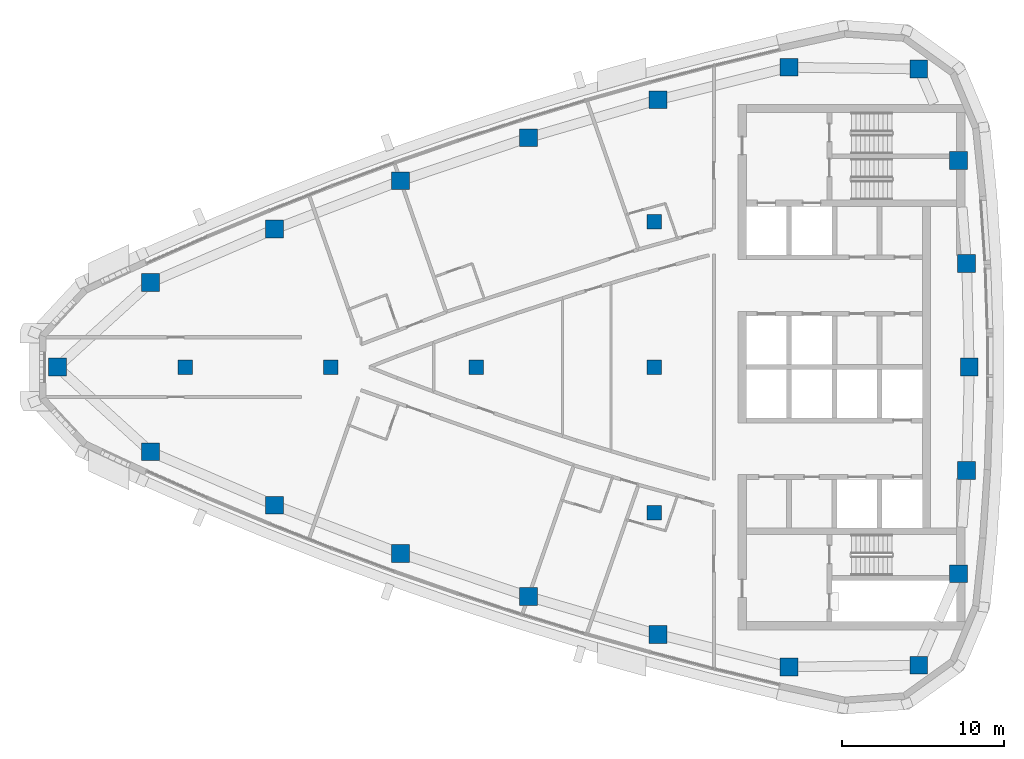
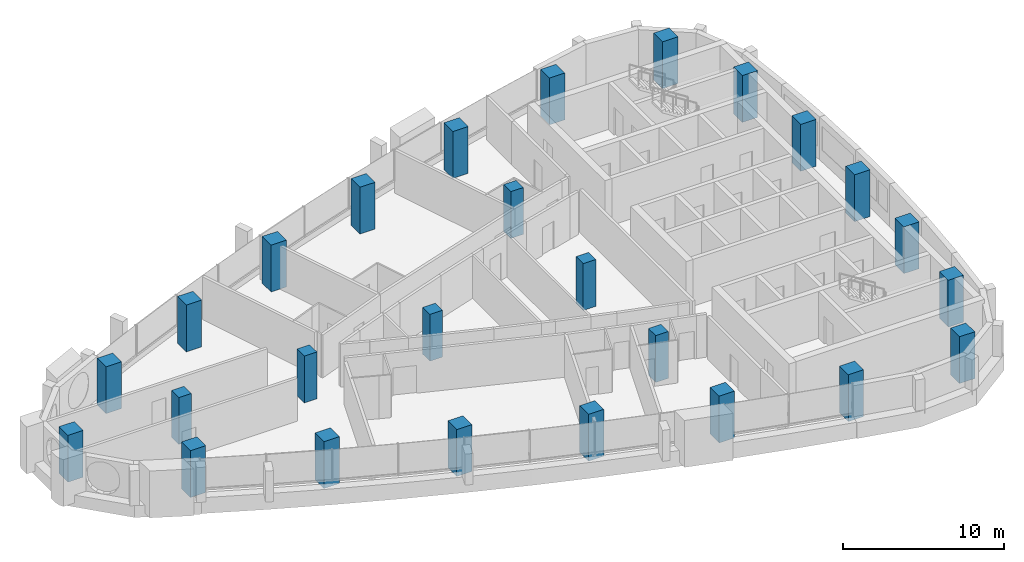
# One storey, part 1 of 14: 26 columns.
"""IFC4 building model written with IfcOpenShell, lengths in metres."""

from ifc_helpers import new_model, si_unit, direction, frame, origin, origin_2d, place, context, subcontext, project, spatial, rectangle, extrude, material, material_profile, profile_set, type_object, element, save


model = new_model("IFC4")

# Units and contexts
model_context = context("Model", 3, precision=1e-05, world=origin(), true_north=direction((0.0, 1.0)))
body_context = subcontext(model_context, "Body", "Model", "MODEL_VIEW")
ifc_project = project(units=[si_unit("LENGTHUNIT", "METRE"), si_unit("AREAUNIT", "SQUARE_METRE"), si_unit("VOLUMEUNIT", "CUBIC_METRE"), si_unit("PLANEANGLEUNIT", "RADIAN"), si_unit("MASSUNIT", "GRAM", prefix="KILO")], contexts=[model_context])

# Site, building, storey
site_placement = place(None, origin())
site = spatial("IfcSite", under=ifc_project, at=site_placement, CompositionType="ELEMENT")
building_placement = place(site_placement, origin())
building = spatial("IfcBuilding", under=site, at=building_placement, Name="Ostrand Prow Hotel Tower", CompositionType="ELEMENT")
storey_placement = place(building_placement, frame((0.0, 0.0, 271.449951171875)))
storey = spatial("IfcBuildingStorey", under=building, at=storey_placement, Name="L68", CompositionType="ELEMENT", Elevation=271.449951171875)

# Columns
ifc_material_1 = material(Name="Concrete C50/60", Category="concrete")
ifc_material_profile_1 = material_profile(ifc_material_1, rectangle(XDim=0.89990234375, YDim=0.89990234375, at=origin_2d()), Name="RC 900x900")
ifc_profile_set_1 = profile_set([ifc_material_profile_1], Name="Concrete C50/60")
column_type_1 = type_object("IfcColumnType", Name="Interior column 900x900 C50/60", PredefinedType="COLUMN", material=ifc_profile_set_1)
for number, where, z_axis, x_axis, name in (
    (1, (16.0, 0.0, 0.0), (0.0, 0.0, 1.0), (1.0, 0.0, 0.0), "Interior column 16C0"),
    (2, (25.0, 0.0, 0.0), (0.0, 0.0, 1.0), (1.0, 0.0, 0.0), "Interior column 25C0"),
    (3, (34.0, 0.0, 0.0), (0.0, 0.0, 1.0), (1.0, 0.0, 0.0), "Interior column 34C0"),
    (4, (45.0, -9.0, 0.0), (0.0, 0.0, 1.0), (1.0, 0.0, 0.0), "Interior column 45S9"),
    (5, (45.0, 0.0, 0.0), (0.0, 0.0, 1.0), (1.0, 0.0, 0.0), "Interior column 45C0"),
    (6, (45.0, 9.0, 0.0), (0.0, 0.0, 1.0), (1.0, 0.0, 0.0), "Interior column 45N9"),
):
    element("IfcColumn", number, at=place(storey_placement, frame(where, z_axis=z_axis, x_axis=x_axis)), inside=storey, type_object=column_type_1, Name=name, PredefinedType="COLUMN", context=body_context, shape_type="SweptSolid", body=[
        extrude(rectangle(XDim=0.89990234375, YDim=0.89990234375, at=origin_2d()), origin(), (0.0, 0.0, 1.0), 3.550048828125),
    ])
ifc_material_2 = material(Name="Concrete C50/60", Category="concrete")
ifc_material_profile_2 = material_profile(ifc_material_2, rectangle(XDim=1.10009765625, YDim=1.10009765625, at=origin_2d()), Name="RC 1100x1100")
ifc_profile_set_2 = profile_set([ifc_material_profile_2], Name="Concrete C50/60")
column_type_2 = type_object("IfcColumnType", Name="Stone-faced mega column 1100x1100 C50/60", PredefinedType="COLUMN", material=ifc_profile_set_2)
for number, where, z_axis, x_axis, name in (
    (7, (8.082763671875, 0.0, 0.0), (0.0, 0.0, 1.0), (1.0, 0.0, 0.0), "Mega column P"),
    (8, (13.846435546875, -5.23681640625, 0.0), (0.0, 0.0, 1.0), (1.0, 0.0, 0.0), "Mega column S1"),
    (9, (21.51416015625, -8.5400390625, 0.0), (0.0, 0.0, 1.0), (1.0, 0.0, 0.0), "Mega column S2"),
    (10, (29.31005859375, -11.528076171875, 0.0), (0.0, 0.0, 1.0), (1.0, 0.0, 0.0), "Mega column S3"),
    (11, (37.22119140625, -14.19580078125, 0.0), (0.0, 0.0, 1.0), (1.0, 0.0, 0.0), "Mega column S4"),
    (12, (45.234619140625, -16.53857421875, 0.0), (0.0, 0.0, 1.0), (1.0, 0.0, 0.0), "Mega column S5"),
    (13, (53.3369140625, -18.552978515625, 0.0), (0.0, 0.0, 1.0), (1.0, 0.0, 0.0), "Mega column S6"),
    (14, (61.374267578125, -18.439697265625, 0.0), (0.0, 0.0, 1.0), (1.0, 0.0, 0.0), "Mega column SE"),
    (15, (63.831787109375, -12.7890625, 0.0), (0.0, 0.0, 1.0), (1.0, 0.0, 0.0), "Mega column B1"),
    (16, (64.332763671875, -6.4033203125, 0.0), (0.0, 0.0, 1.0), (1.0, 0.0, 0.0), "Mega column B2"),
    (17, (64.5, 0.0, 0.0), (0.0, 0.0, 1.0), (1.0, 0.0, 0.0), "Mega column B3"),
    (18, (64.332763671875, 6.4033203125, 0.0), (0.0, 0.0, 1.0), (1.0, 0.0, 0.0), "Mega column B4"),
    (19, (63.831787109375, 12.7890625, 0.0), (0.0, 0.0, 1.0), (1.0, 0.0, 0.0), "Mega column B5"),
    (20, (61.374267578125, 18.439697265625, 0.0), (0.0, 0.0, 1.0), (1.0, 0.0, 0.0), "Mega column NE"),
    (21, (53.3369140625, 18.552978515625, 0.0), (0.0, 0.0, 1.0), (1.0, 0.0, 0.0), "Mega column N1"),
    (22, (45.234619140625, 16.53857421875, 0.0), (0.0, 0.0, 1.0), (1.0, 0.0, 0.0), "Mega column N2"),
    (23, (37.22119140625, 14.19580078125, 0.0), (0.0, 0.0, 1.0), (1.0, 0.0, 0.0), "Mega column N3"),
    (24, (29.31005859375, 11.528076171875, 0.0), (0.0, 0.0, 1.0), (1.0, 0.0, 0.0), "Mega column N4"),
    (25, (21.51416015625, 8.5400390625, 0.0), (0.0, 0.0, 1.0), (1.0, 0.0, 0.0), "Mega column N5"),
    (26, (13.846435546875, 5.23681640625, 0.0), (0.0, 0.0, 1.0), (1.0, 0.0, 0.0), "Mega column N6"),
):
    element("IfcColumn", number, at=place(storey_placement, frame(where, z_axis=z_axis, x_axis=x_axis)), inside=storey, type_object=column_type_2, Name=name, PredefinedType="COLUMN", context=body_context, shape_type="SweptSolid", body=[
        extrude(rectangle(XDim=1.10009765625, YDim=1.10009765625, at=origin_2d()), origin(), (0.0, 0.0, 1.0), 3.550048828125),
    ])

save(model, "model.ifc")
